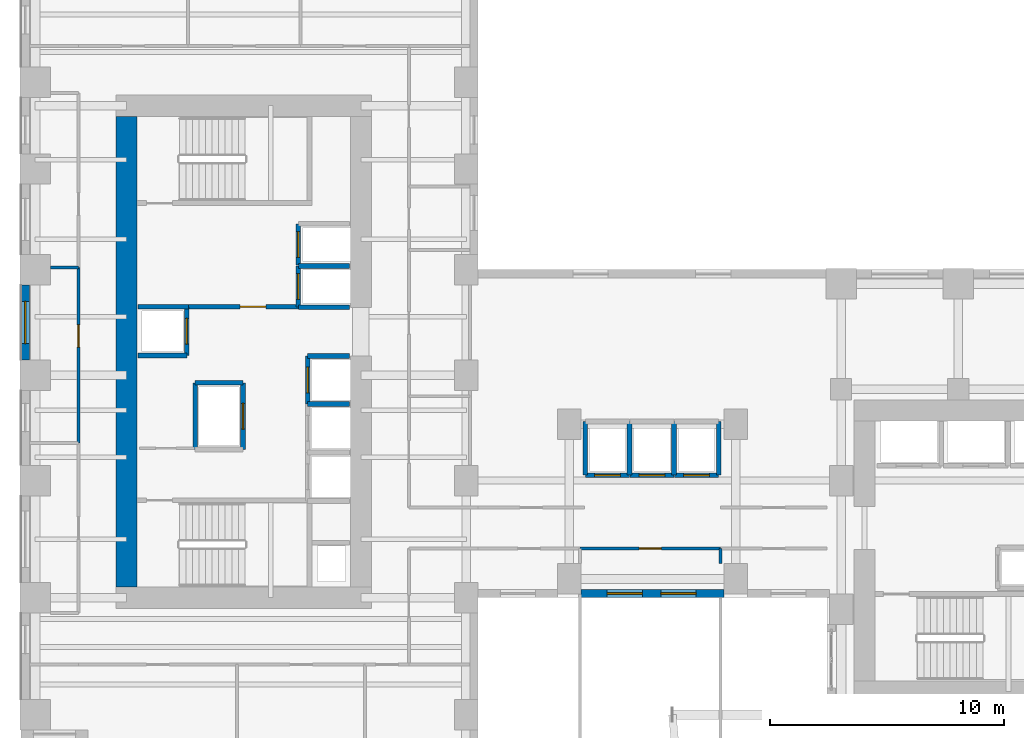
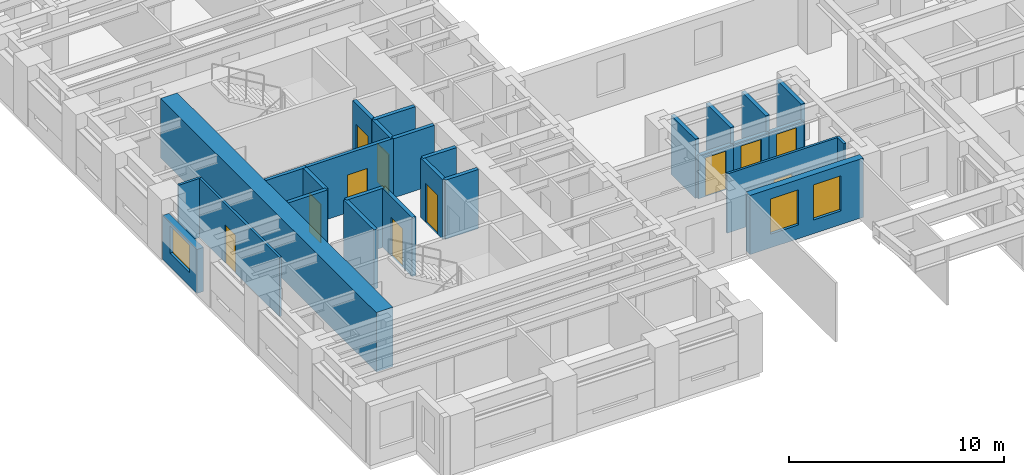
# One storey, part 8 of 14: 28 walls, 11 doors, 3 windows, 14 openings.
"""IFC4 building model written with IfcOpenShell, lengths in metres."""

from ifc_helpers import new_model, si_unit, direction, frame, frame_2d, origin, place, context, subcontext, project, spatial, rectangle, extrude, source, transform, mapped, material, layer, layer_set, type_object, element, fill, save


model = new_model("IFC4")

# Units and contexts
model_context = context("Model", 3, precision=1e-05, world=origin(), true_north=direction((0.0, 1.0)))
body_context = subcontext(model_context, "Body", "Model", "MODEL_VIEW")
ifc_project = project(units=[si_unit("LENGTHUNIT", "METRE"), si_unit("AREAUNIT", "SQUARE_METRE"), si_unit("VOLUMEUNIT", "CUBIC_METRE"), si_unit("PLANEANGLEUNIT", "RADIAN"), si_unit("MASSUNIT", "GRAM", prefix="KILO")], contexts=[model_context])

# Site, building, storey
site_placement = place(None, origin())
site = spatial("IfcSite", under=ifc_project, at=site_placement, CompositionType="ELEMENT")
building_placement = place(site_placement, origin())
building = spatial("IfcBuilding", under=site, at=building_placement, Name="Kharzan Plaza Tower", CompositionType="ELEMENT")
storey_placement = place(building_placement, frame((0.0, 0.0, 58.5)))
storey = spatial("IfcBuildingStorey", under=building, at=storey_placement, Name="L15", CompositionType="ELEMENT", Elevation=58.5)

# Wall, opening, window
ifc_material_1 = material(Name="Concrete C40/50", Category="concrete")
ifc_layer_1 = layer(ifc_material_1, 0.35009765625)
ifc_layer_set_1 = layer_set([ifc_layer_1], Name="Concrete C40/50")
wall_type_1 = type_object("IfcWallType", Name="WL-EXT-MAS-Z1", PredefinedType="SOLIDWALL", material=ifc_layer_set_1)
wall_1_placement = place(storey_placement, frame((0.175048828125, 21.85205078125, 0.0), z_axis=(0.0, 0.0, 1.0), x_axis=(0.0, -1.0, 0.0)))
wall_1 = element("IfcWall", 1, at=wall_1_placement, inside=storey, type_object=wall_type_1, Name="L15 Masonry-Frame Exterior Wall 16", PredefinedType="SOLIDWALL", context=body_context, shape_type="SweptSolid", body=[
    extrude(rectangle(XDim=3.2041015625, YDim=0.35009765625, at=frame_2d((1.60205078125, 0.0))), origin(), (0.0, 0.0, 1.0), 2.510009765625),
])
opening_1_placement = place(wall_1_placement, frame((0.701904296875, 0.0, 0.780029296875)))
opening_1 = element("IfcOpeningElement", 2, at=opening_1_placement, cuts=wall_1, Name="Opening W1", PredefinedType="OPENING", context=body_context, shape_type="SweptSolid", body=[
    extrude(rectangle(XDim=1.800048828125, YDim=1.550048828125, at=frame_2d((0.89990234375, 0.77490234375))), frame((0.0, 0.18505859375, 0.0), z_axis=(0.0, -1.0, 0.0), x_axis=(1.0, 0.0, 0.0)), (0.0, 0.0, 1.0), 0.3701171875),
])
ifc_material_2 = material(Name="Low-E Double Glazing", Category="glass")
window_type_1 = type_object("IfcWindowType", Name="WN-REC-1800x2100", PartitioningType="SINGLE_PANEL", PredefinedType="WINDOW", material=ifc_material_2)
shared_shape_1 = source(origin(), body_context, "Body", "SweptSolid", [
    extrude(rectangle(XDim=1.800048828125, YDim=1.550048828125, at=frame_2d((0.89990234375, 0.77490234375))), frame((0.0, 0.030029296875, 0.0), z_axis=(0.0, -1.0, 0.0), x_axis=(1.0, 0.0, 0.0)), (0.0, 0.0, 1.0), 0.06005859375),
])
window_1_placement = place(opening_1_placement, origin())
window_1 = element("IfcWindow", 3, at=window_1_placement, inside=storey, type_object=window_type_1, Name="L15 Recessed Solar-Control Window 16-1", OverallHeight=1.550048828125, OverallWidth=1.800048828125, PartitioningType="SINGLE_PANEL", PredefinedType="WINDOW", context=body_context, shape_type="MappedRepresentation", body=[
    mapped(shared_shape_1, transform((0.0, 0.0, 0.0), x_axis=(1.0, 0.0, 0.0), y_axis=(0.0, 1.0, 0.0), z_axis=(0.0, 0.0, 1.0))),
])
fill(opening_1, window_1)

# Wall, openings, windows
wall_2_placement = place(storey_placement, frame((23.89794921875, 8.675048828125, 0.0), z_axis=(0.0, 0.0, 1.0), x_axis=(1.0, 0.0, 0.0)))
wall_2 = element("IfcWall", 4, at=wall_2_placement, inside=storey, type_object=wall_type_1, Name="L15 Masonry-Frame Exterior Wall 29", PredefinedType="SOLIDWALL", context=body_context, shape_type="SweptSolid", body=[
    extrude(rectangle(XDim=6.10400390625, YDim=0.35009765625, at=frame_2d((3.052001953125, 0.0))), origin(), (0.0, 0.0, 1.0), 3.364990234375),
])
opening_2_placement = place(wall_2_placement, frame((1.114013671875, 0.0, 0.780029296875)))
opening_2 = element("IfcOpeningElement", 5, at=opening_2_placement, cuts=wall_2, Name="Opening W5", PredefinedType="OPENING", context=body_context, shape_type="SweptSolid", body=[
    extrude(rectangle(XDim=1.5, YDim=2.0, at=frame_2d((0.75, 1.0))), frame((0.0, 0.18505859375, 0.0), z_axis=(0.0, -1.0, 0.0), x_axis=(1.0, 0.0, 0.0)), (0.0, 0.0, 1.0), 0.3701171875),
])
opening_3_placement = place(wall_2_placement, frame((3.407958984375, 0.0, 0.780029296875)))
opening_3 = element("IfcOpeningElement", 6, at=opening_3_placement, cuts=wall_2, Name="Opening W5", PredefinedType="OPENING", context=body_context, shape_type="SweptSolid", body=[
    extrude(rectangle(XDim=1.5, YDim=2.0, at=frame_2d((0.75, 1.0))), frame((0.0, 0.18505859375, 0.0), z_axis=(0.0, -1.0, 0.0), x_axis=(1.0, 0.0, 0.0)), (0.0, 0.0, 1.0), 0.3701171875),
])
window_type_2 = type_object("IfcWindowType", Name="WN-SLT-1500x2000", PartitioningType="SINGLE_PANEL", PredefinedType="WINDOW", material=ifc_material_2)
shared_shape_2 = source(origin(), body_context, "Body", "SweptSolid", [
    extrude(rectangle(XDim=1.5, YDim=2.0, at=frame_2d((0.75, 1.0))), frame((0.0, 0.030029296875, 0.0), z_axis=(0.0, -1.0, 0.0), x_axis=(1.0, 0.0, 0.0)), (0.0, 0.0, 1.0), 0.06005859375),
])
window_2_placement = place(opening_2_placement, origin())
window_2 = element("IfcWindow", 7, at=window_2_placement, inside=storey, type_object=window_type_2, Name="L15 Recessed Solar-Control Window 29-1", OverallHeight=2.0, OverallWidth=1.5, PartitioningType="SINGLE_PANEL", PredefinedType="WINDOW", context=body_context, shape_type="MappedRepresentation", body=[
    mapped(shared_shape_2, transform((0.0, 0.0, 0.0), x_axis=(1.0, 0.0, 0.0), y_axis=(0.0, 1.0, 0.0), z_axis=(0.0, 0.0, 1.0))),
])
fill(opening_2, window_2)
window_3_placement = place(opening_3_placement, origin())
window_3 = element("IfcWindow", 8, at=window_3_placement, inside=storey, type_object=window_type_2, Name="L15 Recessed Solar-Control Window 29-2", OverallHeight=2.0, OverallWidth=1.5, PartitioningType="SINGLE_PANEL", PredefinedType="WINDOW", context=body_context, shape_type="MappedRepresentation", body=[
    mapped(shared_shape_2, transform((0.0, 0.0, 0.0), x_axis=(1.0, 0.0, 0.0), y_axis=(0.0, 1.0, 0.0), z_axis=(0.0, 0.0, 1.0))),
])
fill(opening_3, window_3)

# Wall, opening, door
ifc_layer_2 = layer(ifc_material_1, 0.179931640625)
ifc_layer_set_2 = layer_set([ifc_layer_2], Name="Concrete C40/50")
wall_type_2 = type_object("IfcWallType", Name="WL-INT-FIRE-180", PredefinedType="PARTITIONING", material=ifc_layer_set_2)
wall_3_placement = place(storey_placement, frame((7.14990234375, 20.919921875, 0.0), z_axis=(0.0, 0.0, 1.0), x_axis=(1.0, 0.0, 0.0)))
wall_3 = element("IfcWall", 9, at=wall_3_placement, inside=storey, type_object=wall_type_2, Name="L15 Interior Partition CA-FF-S", PredefinedType="PARTITIONING", context=body_context, shape_type="SweptSolid", body=[
    extrude(rectangle(XDim=4.68017578125, YDim=0.179931640625, at=frame_2d((2.340087890625, 0.0))), origin(), (0.0, 0.0, 1.0), 3.364990234375),
])
opening_4_placement = place(wall_3_placement, frame((2.199951171875, 0.0, 0.0)))
opening_4 = element("IfcOpeningElement", 10, at=opening_4_placement, cuts=wall_3, Name="Opening FD1", PredefinedType="OPENING", context=body_context, shape_type="SweptSolid", body=[
    extrude(rectangle(XDim=1.10009765625, YDim=2.14990234375, at=frame_2d((0.550048828125, 1.074951171875))), frame((0.0, 0.099853515625, 0.0), z_axis=(0.0, -1.0, 0.0), x_axis=(1.0, 0.0, 0.0)), (0.0, 0.0, 1.0), 0.199951171875),
])
ifc_material_3 = material(Name="Fire-Rated Acoustic Vision-Panel Steel", Category="steel")
door_type_1 = type_object("IfcDoorType", Name="DR-FIRE-LOBBY", OperationType="NOTDEFINED", PredefinedType="DOOR", material=ifc_material_3)
shared_shape_3 = source(origin(), body_context, "Body", "SweptSolid", [
    extrude(rectangle(XDim=1.10009765625, YDim=2.14990234375, at=frame_2d((0.550048828125, 1.074951171875))), frame((0.0, 0.02490234375, 0.0), z_axis=(0.0, -1.0, 0.0), x_axis=(1.0, 0.0, 0.0)), (0.0, 0.0, 1.0), 0.050048828125),
])
door_1_placement = place(opening_4_placement, origin())
door_1 = element("IfcDoor", 11, at=door_1_placement, inside=storey, type_object=door_type_1, Name="L15 Firefighting Lobby Door", OperationType="SINGLE_SWING_LEFT", OverallHeight=2.14990234375, OverallWidth=1.10009765625, PredefinedType="DOOR", context=body_context, shape_type="MappedRepresentation", body=[
    mapped(shared_shape_3, transform((0.0, 0.0, 0.0), x_axis=(1.0, 0.0, 0.0), y_axis=(0.0, 1.0, 0.0), z_axis=(0.0, 0.0, 1.0))),
])
fill(opening_4, door_1)

ifc_material_4 = material(Name="Fire-Rated Gypsum Board Partition", Category="gypsum")
ifc_layer_3 = layer(ifc_material_4, 0.125)
ifc_layer_set_3 = layer_set([ifc_layer_3], Name="Fire-Rated Gypsum Board Partition")
wall_type_3 = type_object("IfcWallType", Name="WL-INT-PART-125", PredefinedType="PARTITIONING", material=ifc_layer_set_3)
wall_4_placement = place(storey_placement, frame((23.85009765625, 10.60009765625, 0.0), z_axis=(0.0, 0.0, 1.0), x_axis=(1.0, 0.0, 0.0)))
wall_4 = element("IfcWall", 12, at=wall_4_placement, inside=storey, type_object=wall_type_3, Name="L15 Interior Partition SH-SPS2", PredefinedType="PARTITIONING", context=body_context, shape_type="SweptSolid", body=[
    extrude(rectangle(XDim=6.0, YDim=0.125, at=frame_2d((3.0, 0.0))), origin(), (0.0, 0.0, 1.0), 3.364990234375),
])
opening_5_placement = place(wall_4_placement, frame((2.52490234375, 0.0, 0.0)))
opening_5 = element("IfcOpeningElement", 13, at=opening_5_placement, cuts=wall_4, Name="Opening OD1", PredefinedType="OPENING", context=body_context, shape_type="SweptSolid", body=[
    extrude(rectangle(XDim=0.949951171875, YDim=2.14990234375, at=frame_2d((0.47509765625, 1.074951171875))), frame((0.0, 0.072509765625, 0.0), z_axis=(0.0, -1.0, 0.0), x_axis=(1.0, 0.0, 0.0)), (0.0, 0.0, 1.0), 0.14501953125),
])
ifc_material_5 = material(Name="Acoustic Solid-Core Stained Oak", Category="timber")
door_type_2 = type_object("IfcDoorType", Name="DR-OFF-SINGLE", OperationType="NOTDEFINED", PredefinedType="DOOR", material=ifc_material_5)
shared_shape_4 = source(origin(), body_context, "Body", "SweptSolid", [
    extrude(rectangle(XDim=0.949951171875, YDim=2.14990234375, at=frame_2d((0.47509765625, 1.074951171875))), frame((0.0, 0.02490234375, 0.0), z_axis=(0.0, -1.0, 0.0), x_axis=(1.0, 0.0, 0.0)), (0.0, 0.0, 1.0), 0.050048828125),
])
door_2_placement = place(opening_5_placement, origin())
door_2 = element("IfcDoor", 14, at=door_2_placement, inside=storey, type_object=door_type_2, Name="L15 Spine Studio 2 Door", OperationType="SINGLE_SWING_LEFT", OverallHeight=2.14990234375, OverallWidth=0.949951171875, PredefinedType="DOOR", context=body_context, shape_type="MappedRepresentation", body=[
    mapped(shared_shape_4, transform((0.0, 0.0, 0.0), x_axis=(1.0, 0.0, 0.0), y_axis=(0.0, 1.0, 0.0), z_axis=(0.0, 0.0, 1.0))),
])
fill(opening_5, door_2)

wall_5_placement = place(storey_placement, frame((2.449951171875, 15.10009765625, 0.0), z_axis=(0.0, 0.0, 1.0), x_axis=(0.0, 1.0, 0.0)))
wall_5 = element("IfcWall", 15, at=wall_5_placement, inside=storey, type_object=wall_type_3, Name="L15 Interior Partition SH-WW-2", PredefinedType="PARTITIONING", context=body_context, shape_type="SweptSolid", body=[
    extrude(rectangle(XDim=7.5, YDim=0.125, at=frame_2d((3.75, 0.0))), origin(), (0.0, 0.0, 1.0), 3.364990234375),
])
opening_6_placement = place(wall_5_placement, frame((4.100341796875, 0.0, 0.0)))
opening_6 = element("IfcOpeningElement", 16, at=opening_6_placement, cuts=wall_5, Name="Opening OD1", PredefinedType="OPENING", context=body_context, shape_type="SweptSolid", body=[
    extrude(rectangle(XDim=0.949951171875, YDim=2.14990234375, at=frame_2d((0.47509765625, 1.074951171875))), frame((0.0, 0.072509765625, 0.0), z_axis=(0.0, -1.0, 0.0), x_axis=(1.0, 0.0, 0.0)), (0.0, 0.0, 1.0), 0.14501953125),
])
door_3_placement = place(opening_6_placement, origin())
door_3 = element("IfcDoor", 17, at=door_3_placement, inside=storey, type_object=door_type_2, Name="L15 Research Engineering Office Door", OperationType="SINGLE_SWING_LEFT", OverallHeight=2.14990234375, OverallWidth=0.949951171875, PredefinedType="DOOR", context=body_context, shape_type="MappedRepresentation", body=[
    mapped(shared_shape_4, transform((0.0, 0.0, 0.0), x_axis=(1.0, 0.0, 0.0), y_axis=(0.0, 1.0, 0.0), z_axis=(0.0, 0.0, 1.0))),
])
fill(opening_6, door_3)

ifc_layer_4 = layer(ifc_material_1, 0.199951171875)
ifc_layer_set_4 = layer_set([ifc_layer_4], Name="Concrete C40/50")
wall_type_4 = type_object("IfcWallType", Name="WL-INT-SHAFT-200", PredefinedType="PARTITIONING", material=ifc_layer_set_4)
wall_6_placement = place(storey_placement, frame((11.830078125, 20.89990234375, 0.0), z_axis=(0.0, 0.0, 1.0), x_axis=(0.0, 1.0, 0.0)))
wall_6 = element("IfcWall", 18, at=wall_6_placement, inside=storey, type_object=wall_type_4, Name="L15 Interior Partition SHF-FFL-1-W", PredefinedType="PARTITIONING", context=body_context, shape_type="SweptSolid", body=[
    extrude(rectangle(XDim=1.760009765625, YDim=0.199951171875, at=frame_2d((0.8798828125, 0.0))), origin(), (0.0, 0.0, 1.0), 3.364990234375),
])
opening_7_placement = place(wall_6_placement, frame((0.330078125, 0.0, 0.0)))
opening_7 = element("IfcOpeningElement", 19, at=opening_7_placement, cuts=wall_6, Name="Opening LD", PredefinedType="OPENING", context=body_context, shape_type="SweptSolid", body=[
    extrude(rectangle(XDim=1.10009765625, YDim=2.199951171875, at=frame_2d((0.550048828125, 1.10009765625))), frame((0.0, 0.10986328125, 0.0), z_axis=(0.0, -1.0, 0.0), x_axis=(1.0, 0.0, 0.0)), (0.0, 0.0, 1.0), 0.219970703125),
])
ifc_material_6 = material(Name="Brushed Stainless Steel", Category="steel")
door_type_3 = type_object("IfcDoorType", Name="DR-LIFT-SLIDE", OperationType="SLIDING_TO_LEFT", PredefinedType="DOOR", material=ifc_material_6)
shared_shape_5 = source(origin(), body_context, "Body", "SweptSolid", [
    extrude(rectangle(XDim=1.10009765625, YDim=2.199951171875, at=frame_2d((0.550048828125, 1.10009765625))), frame((0.0, 0.02490234375, 0.0), z_axis=(0.0, -1.0, 0.0), x_axis=(1.0, 0.0, 0.0)), (0.0, 0.0, 1.0), 0.050048828125),
])
door_4_placement = place(opening_7_placement, origin())
door_4 = element("IfcDoor", 20, at=door_4_placement, inside=storey, type_object=door_type_3, Name="L15 Firefighting Lift FFL-1 Sliding Landing Door", OperationType="SLIDING_TO_LEFT", OverallHeight=2.199951171875, OverallWidth=1.10009765625, PredefinedType="DOOR", context=body_context, shape_type="MappedRepresentation", body=[
    mapped(shared_shape_5, transform((0.0, 0.0, 0.0), x_axis=(1.0, 0.0, 0.0), y_axis=(0.0, 1.0, 0.0), z_axis=(0.0, 0.0, 1.0))),
])
fill(opening_7, door_4)

wall_7_placement = place(storey_placement, frame((11.830078125, 22.699951171875, 0.0), z_axis=(0.0, 0.0, 1.0), x_axis=(0.0, 1.0, 0.0)))
wall_7 = element("IfcWall", 21, at=wall_7_placement, inside=storey, type_object=wall_type_4, Name="L15 Interior Partition SHF-FFL-2-W", PredefinedType="PARTITIONING", context=body_context, shape_type="SweptSolid", body=[
    extrude(rectangle(XDim=1.760009765625, YDim=0.199951171875, at=frame_2d((0.8798828125, 0.0))), origin(), (0.0, 0.0, 1.0), 3.364990234375),
])
opening_8_placement = place(wall_7_placement, frame((0.330078125, 0.0, 0.0)))
opening_8 = element("IfcOpeningElement", 22, at=opening_8_placement, cuts=wall_7, Name="Opening LD", PredefinedType="OPENING", context=body_context, shape_type="SweptSolid", body=[
    extrude(rectangle(XDim=1.10009765625, YDim=2.199951171875, at=frame_2d((0.550048828125, 1.10009765625))), frame((0.0, 0.10986328125, 0.0), z_axis=(0.0, -1.0, 0.0), x_axis=(1.0, 0.0, 0.0)), (0.0, 0.0, 1.0), 0.219970703125),
])
door_5_placement = place(opening_8_placement, origin())
door_5 = element("IfcDoor", 23, at=door_5_placement, inside=storey, type_object=door_type_3, Name="L15 Firefighting Lift FFL-2 Sliding Landing Door", OperationType="SLIDING_TO_LEFT", OverallHeight=2.199951171875, OverallWidth=1.10009765625, PredefinedType="DOOR", context=body_context, shape_type="MappedRepresentation", body=[
    mapped(shared_shape_5, transform((0.0, 0.0, 0.0), x_axis=(1.0, 0.0, 0.0), y_axis=(0.0, 1.0, 0.0), z_axis=(0.0, 0.0, 1.0))),
])
fill(opening_8, door_5)

wall_8_placement = place(storey_placement, frame((12.22998046875, 16.77001953125, 0.0), z_axis=(0.0, 0.0, 1.0), x_axis=(0.0, 1.0, 0.0)))
wall_8 = element("IfcWall", 24, at=wall_8_placement, inside=storey, type_object=wall_type_4, Name="L15 Interior Partition SHF-PL-H3-W", PredefinedType="PARTITIONING", context=body_context, shape_type="SweptSolid", body=[
    extrude(rectangle(XDim=2.050048828125, YDim=0.199951171875, at=frame_2d((1.02490234375, 0.0))), origin(), (0.0, 0.0, 1.0), 3.364990234375),
])
opening_9_placement = place(wall_8_placement, frame((0.47509765625, 0.0, 0.0)))
opening_9 = element("IfcOpeningElement", 25, at=opening_9_placement, cuts=wall_8, Name="Opening LD", PredefinedType="OPENING", context=body_context, shape_type="SweptSolid", body=[
    extrude(rectangle(XDim=1.10009765625, YDim=2.199951171875, at=frame_2d((0.550048828125, 1.10009765625))), frame((0.0, 0.10986328125, 0.0), z_axis=(0.0, -1.0, 0.0), x_axis=(1.0, 0.0, 0.0)), (0.0, 0.0, 1.0), 0.219970703125),
])
door_6_placement = place(opening_9_placement, origin())
door_6 = element("IfcDoor", 26, at=door_6_placement, inside=storey, type_object=door_type_3, Name="L15 High-Rise Passenger Lift PL-H3 Sliding Landing Door", OperationType="SLIDING_TO_LEFT", OverallHeight=2.199951171875, OverallWidth=1.10009765625, PredefinedType="DOOR", context=body_context, shape_type="MappedRepresentation", body=[
    mapped(shared_shape_5, transform((0.0, 0.0, 0.0), x_axis=(1.0, 0.0, 0.0), y_axis=(0.0, 1.0, 0.0), z_axis=(0.0, 0.0, 1.0))),
])
fill(opening_9, door_6)

wall_9_placement = place(storey_placement, frame((7.070068359375, 18.840087890625, 0.0), z_axis=(0.0, 0.0, 1.0), x_axis=(0.0, 1.0, 0.0)))
wall_9 = element("IfcWall", 27, at=wall_9_placement, inside=storey, type_object=wall_type_4, Name="L15 Interior Partition SHF-PL-H4-E", PredefinedType="PARTITIONING", context=body_context, shape_type="SweptSolid", body=[
    extrude(rectangle(XDim=2.059814453125, YDim=0.199951171875, at=frame_2d((1.02978515625, 0.0))), origin(), (0.0, 0.0, 1.0), 3.364990234375),
])
opening_10_placement = place(wall_9_placement, frame((0.47998046875, 0.0, 0.0)))
opening_10 = element("IfcOpeningElement", 28, at=opening_10_placement, cuts=wall_9, Name="Opening LD", PredefinedType="OPENING", context=body_context, shape_type="SweptSolid", body=[
    extrude(rectangle(XDim=1.10009765625, YDim=2.199951171875, at=frame_2d((0.550048828125, 1.10009765625))), frame((0.0, 0.10986328125, 0.0), z_axis=(0.0, -1.0, 0.0), x_axis=(1.0, 0.0, 0.0)), (0.0, 0.0, 1.0), 0.219970703125),
])
door_7_placement = place(opening_10_placement, origin())
door_7 = element("IfcDoor", 29, at=door_7_placement, inside=storey, type_object=door_type_3, Name="L15 High-Rise Passenger Lift PL-H4 Sliding Landing Door", OperationType="SLIDING_TO_LEFT", OverallHeight=2.199951171875, OverallWidth=1.10009765625, PredefinedType="DOOR", context=body_context, shape_type="MappedRepresentation", body=[
    mapped(shared_shape_5, transform((0.0, 0.0, 0.0), x_axis=(1.0, 0.0, 0.0), y_axis=(0.0, 1.0, 0.0), z_axis=(0.0, 0.0, 1.0))),
])
fill(opening_10, door_7)

wall_10_placement = place(storey_placement, frame((24.080078125, 13.72998046875, 0.0), z_axis=(0.0, 0.0, 1.0), x_axis=(1.0, 0.0, 0.0)))
wall_10 = element("IfcWall", 30, at=wall_10_placement, inside=storey, type_object=wall_type_4, Name="L15 Interior Partition SHF-PL-M1-S", PredefinedType="PARTITIONING", context=body_context, shape_type="SweptSolid", body=[
    extrude(rectangle(XDim=1.889892578125, YDim=0.199951171875, at=frame_2d((0.94482421875, 0.0))), origin(), (0.0, 0.0, 1.0), 2.446044921875),
])
opening_11_placement = place(wall_10_placement, frame((0.39501953125, 0.0, 0.0)))
opening_11 = element("IfcOpeningElement", 31, at=opening_11_placement, cuts=wall_10, Name="Opening LD", PredefinedType="OPENING", context=body_context, shape_type="SweptSolid", body=[
    extrude(rectangle(XDim=1.10009765625, YDim=2.199951171875, at=frame_2d((0.550048828125, 1.10009765625))), frame((0.0, 0.10986328125, 0.0), z_axis=(0.0, -1.0, 0.0), x_axis=(1.0, 0.0, 0.0)), (0.0, 0.0, 1.0), 0.219970703125),
])
door_8_placement = place(opening_11_placement, origin())
door_8 = element("IfcDoor", 32, at=door_8_placement, inside=storey, type_object=door_type_3, Name="L15 Mid-Rise Passenger Lift PL-M1 Sliding Landing Door", OperationType="SLIDING_TO_LEFT", OverallHeight=2.199951171875, OverallWidth=1.10009765625, PredefinedType="DOOR", context=body_context, shape_type="MappedRepresentation", body=[
    mapped(shared_shape_5, transform((0.0, 0.0, 0.0), x_axis=(1.0, 0.0, 0.0), y_axis=(0.0, 1.0, 0.0), z_axis=(0.0, 0.0, 1.0))),
])
fill(opening_11, door_8)

wall_11_placement = place(storey_placement, frame((25.97998046875, 13.72998046875, 0.0), z_axis=(0.0, 0.0, 1.0), x_axis=(1.0, 0.0, 0.0)))
wall_11 = element("IfcWall", 33, at=wall_11_placement, inside=storey, type_object=wall_type_4, Name="L15 Interior Partition SHF-PL-M2-S", PredefinedType="PARTITIONING", context=body_context, shape_type="SweptSolid", body=[
    extrude(rectangle(XDim=1.89013671875, YDim=0.199951171875, at=frame_2d((0.945068359375, 0.0))), origin(), (0.0, 0.0, 1.0), 2.446044921875),
])
opening_12_placement = place(wall_11_placement, frame((0.39501953125, 0.0, 0.0)))
opening_12 = element("IfcOpeningElement", 34, at=opening_12_placement, cuts=wall_11, Name="Opening LD", PredefinedType="OPENING", context=body_context, shape_type="SweptSolid", body=[
    extrude(rectangle(XDim=1.10009765625, YDim=2.199951171875, at=frame_2d((0.550048828125, 1.10009765625))), frame((0.0, 0.10986328125, 0.0), z_axis=(0.0, -1.0, 0.0), x_axis=(1.0, 0.0, 0.0)), (0.0, 0.0, 1.0), 0.219970703125),
])
door_9_placement = place(opening_12_placement, origin())
door_9 = element("IfcDoor", 35, at=door_9_placement, inside=storey, type_object=door_type_3, Name="L15 Mid-Rise Passenger Lift PL-M2 Sliding Landing Door", OperationType="SLIDING_TO_LEFT", OverallHeight=2.199951171875, OverallWidth=1.10009765625, PredefinedType="DOOR", context=body_context, shape_type="MappedRepresentation", body=[
    mapped(shared_shape_5, transform((0.0, 0.0, 0.0), x_axis=(1.0, 0.0, 0.0), y_axis=(0.0, 1.0, 0.0), z_axis=(0.0, 0.0, 1.0))),
])
fill(opening_12, door_9)

wall_12_placement = place(storey_placement, frame((27.8798828125, 13.72998046875, 0.0), z_axis=(0.0, 0.0, 1.0), x_axis=(1.0, 0.0, 0.0)))
wall_12 = element("IfcWall", 36, at=wall_12_placement, inside=storey, type_object=wall_type_4, Name="L15 Interior Partition SHF-PL-M3-S", PredefinedType="PARTITIONING", context=body_context, shape_type="SweptSolid", body=[
    extrude(rectangle(XDim=1.89013671875, YDim=0.199951171875, at=frame_2d((0.945068359375, 0.0))), origin(), (0.0, 0.0, 1.0), 2.446044921875),
])
opening_13_placement = place(wall_12_placement, frame((0.39501953125, 0.0, 0.0)))
opening_13 = element("IfcOpeningElement", 37, at=opening_13_placement, cuts=wall_12, Name="Opening LD", PredefinedType="OPENING", context=body_context, shape_type="SweptSolid", body=[
    extrude(rectangle(XDim=1.10009765625, YDim=2.199951171875, at=frame_2d((0.550048828125, 1.10009765625))), frame((0.0, 0.10986328125, 0.0), z_axis=(0.0, -1.0, 0.0), x_axis=(1.0, 0.0, 0.0)), (0.0, 0.0, 1.0), 0.219970703125),
])
door_10_placement = place(opening_13_placement, origin())
door_10 = element("IfcDoor", 38, at=door_10_placement, inside=storey, type_object=door_type_3, Name="L15 Mid-Rise Passenger Lift PL-M3 Sliding Landing Door", OperationType="SLIDING_TO_LEFT", OverallHeight=2.199951171875, OverallWidth=1.10009765625, PredefinedType="DOOR", context=body_context, shape_type="MappedRepresentation", body=[
    mapped(shared_shape_5, transform((0.0, 0.0, 0.0), x_axis=(1.0, 0.0, 0.0), y_axis=(0.0, 1.0, 0.0), z_axis=(0.0, 0.0, 1.0))),
])
fill(opening_13, door_10)

wall_13_placement = place(storey_placement, frame((9.469970703125, 14.830078125, 0.0), z_axis=(0.0, 0.0, 1.0), x_axis=(0.0, 1.0, 0.0)))
wall_13 = element("IfcWall", 39, at=wall_13_placement, inside=storey, type_object=wall_type_4, Name="L15 Interior Partition SHF-SVL-1-E", PredefinedType="PARTITIONING", context=body_context, shape_type="SweptSolid", body=[
    extrude(rectangle(XDim=2.83984375, YDim=0.199951171875, at=frame_2d((1.419921875, 0.0))), origin(), (0.0, 0.0, 1.0), 3.364990234375),
])
opening_14_placement = place(wall_13_placement, frame((0.8701171875, 0.0, 0.0)))
opening_14 = element("IfcOpeningElement", 40, at=opening_14_placement, cuts=wall_13, Name="Opening LD", PredefinedType="OPENING", context=body_context, shape_type="SweptSolid", body=[
    extrude(rectangle(XDim=1.10009765625, YDim=2.199951171875, at=frame_2d((0.550048828125, 1.10009765625))), frame((0.0, 0.10986328125, 0.0), z_axis=(0.0, -1.0, 0.0), x_axis=(1.0, 0.0, 0.0)), (0.0, 0.0, 1.0), 0.219970703125),
])
door_11_placement = place(opening_14_placement, origin())
door_11 = element("IfcDoor", 41, at=door_11_placement, inside=storey, type_object=door_type_3, Name="L15 Service Lift SVL-1 Sliding Landing Door", OperationType="SLIDING_TO_LEFT", OverallHeight=2.199951171875, OverallWidth=1.10009765625, PredefinedType="DOOR", context=body_context, shape_type="MappedRepresentation", body=[
    mapped(shared_shape_5, transform((0.0, 0.0, 0.0), x_axis=(1.0, 0.0, 0.0), y_axis=(0.0, 1.0, 0.0), z_axis=(0.0, 0.0, 1.0))),
])
fill(opening_14, door_11)

# Walls
ifc_material_7 = material(Name="Concrete C60/75", Category="concrete")
ifc_layer_5 = layer(ifc_material_7, 0.89990234375)
ifc_layer_set_5 = layer_set([ifc_layer_5], Name="Concrete C60/75")
wall_type_5 = type_object("IfcWallType", Name="WL-CORE-900", PredefinedType="SHEAR", material=ifc_layer_set_5)
shared_shape_6 = source(origin(), body_context, "Body", "SweptSolid", [
    extrude(rectangle(XDim=20.10009765625, YDim=0.89990234375, at=frame_2d((10.050048828125, 0.0))), origin(), (0.0, 0.0, 1.0), 3.3798828125),
])
wall_14_placement = place(storey_placement, frame((4.5, 8.949951171875, 0.0), z_axis=(0.0, 0.0, 1.0), x_axis=(0.0, 1.0, 0.0)))
element("IfcWall", 42, at=wall_14_placement, inside=storey, type_object=wall_type_5, Name="L15 CORE-A west RC shear wall", PredefinedType="SHEAR", context=body_context, shape_type="MappedRepresentation", body=[
    mapped(shared_shape_6, transform((0.0, 0.0, 0.0), x_axis=(1.0, 0.0, 0.0), y_axis=(0.0, 1.0, 0.0), z_axis=(0.0, 0.0, 1.0))),
])
shared_shape_7 = source(origin(), body_context, "Body", "SweptSolid", [
    extrude(rectangle(XDim=2.169921875, YDim=0.179931640625, at=frame_2d((1.0849609375, 0.0))), origin(), (0.0, 0.0, 1.0), 3.364990234375),
])
wall_15_placement = place(storey_placement, frame((4.97998046875, 20.919921875, 0.0), z_axis=(0.0, 0.0, 1.0), x_axis=(1.0, 0.0, 0.0)))
element("IfcWall", 43, at=wall_15_placement, inside=storey, type_object=wall_type_2, Name="L15 Interior Partition CA-FF-SW", PredefinedType="PARTITIONING", context=body_context, shape_type="MappedRepresentation", body=[
    mapped(shared_shape_7, transform((0.0, 0.0, 0.0), x_axis=(1.0, 0.0, 0.0), y_axis=(0.0, 1.0, 0.0), z_axis=(0.0, 0.0, 1.0))),
])
shared_shape_8 = source(origin(), body_context, "Body", "SweptSolid", [
    extrude(rectangle(XDim=1.18994140625, YDim=0.125, at=frame_2d((0.594970703125, 0.0))), origin(), (0.0, 0.0, 1.0), 3.364990234375),
])
wall_16_placement = place(storey_placement, frame((1.260009765625, 22.60009765625, 0.0), z_axis=(0.0, 0.0, 1.0), x_axis=(1.0, 0.0, 0.0)))
element("IfcWall", 44, at=wall_16_placement, inside=storey, type_object=wall_type_3, Name="L15 Interior Partition SH-WH-2", PredefinedType="PARTITIONING", context=body_context, shape_type="MappedRepresentation", body=[
    mapped(shared_shape_8, transform((0.0, 0.0, 0.0), x_axis=(1.0, 0.0, 0.0), y_axis=(0.0, 1.0, 0.0), z_axis=(0.0, 0.0, 1.0))),
])
shared_shape_9 = source(origin(), body_context, "Body", "SweptSolid", [
    extrude(rectangle(XDim=2.18994140625, YDim=0.199951171875, at=frame_2d((1.094970703125, 0.0))), origin(), (0.0, 0.0, 1.0), 3.364990234375),
])
for number, where, z_axis, x_axis, name in (
    (45, (11.830078125, 22.659912109375, 0.0), (0.0, 0.0, 1.0), (1.0, 0.0, 0.0), "L15 Interior Partition SHF-FFL-1-N"),
    (46, (11.830078125, 20.89990234375, 0.0), (0.0, 0.0, 1.0), (1.0, 0.0, 0.0), "L15 Interior Partition SHF-FFL-1-S"),
):
    element("IfcWall", number, at=place(storey_placement, frame(where, z_axis=z_axis, x_axis=x_axis)), inside=storey, type_object=wall_type_4, Name=name, PredefinedType="PARTITIONING", context=body_context, shape_type="MappedRepresentation", body=[
        mapped(shared_shape_9, transform((0.0, 0.0, 0.0), x_axis=(1.0, 0.0, 0.0), y_axis=(0.0, 1.0, 0.0), z_axis=(0.0, 0.0, 1.0))),
    ])
shared_shape_10 = source(origin(), body_context, "Body", "SweptSolid", [
    extrude(rectangle(XDim=1.7900390625, YDim=0.199951171875, at=frame_2d((0.89501953125, 0.0))), origin(), (0.0, 0.0, 1.0), 3.364990234375),
])
for number, where, z_axis, x_axis, name in (
    (47, (12.22998046875, 16.77001953125, 0.0), (0.0, 0.0, 1.0), (1.0, 0.0, 0.0), "L15 Interior Partition SHF-PL-H2-N"),
    (48, (12.22998046875, 18.820068359375, 0.0), (0.0, 0.0, 1.0), (1.0, 0.0, 0.0), "L15 Interior Partition SHF-PL-H3-N"),
):
    element("IfcWall", number, at=place(storey_placement, frame(where, z_axis=z_axis, x_axis=x_axis)), inside=storey, type_object=wall_type_4, Name=name, PredefinedType="PARTITIONING", context=body_context, shape_type="MappedRepresentation", body=[
        mapped(shared_shape_10, transform((0.0, 0.0, 0.0), x_axis=(1.0, 0.0, 0.0), y_axis=(0.0, 1.0, 0.0), z_axis=(0.0, 0.0, 1.0))),
    ])
shared_shape_11 = source(origin(), body_context, "Body", "SweptSolid", [
    extrude(rectangle(XDim=2.090087890625, YDim=0.199951171875, at=frame_2d((1.044921875, 0.0))), origin(), (0.0, 0.0, 1.0), 3.364990234375),
])
wall_17_placement = place(storey_placement, frame((4.97998046875, 18.840087890625, 0.0), z_axis=(0.0, 0.0, 1.0), x_axis=(1.0, 0.0, 0.0)))
element("IfcWall", 49, at=wall_17_placement, inside=storey, type_object=wall_type_4, Name="L15 Interior Partition SHF-PL-H4-S", PredefinedType="PARTITIONING", context=body_context, shape_type="MappedRepresentation", body=[
    mapped(shared_shape_11, transform((0.0, 0.0, 0.0), x_axis=(1.0, 0.0, 0.0), y_axis=(0.0, 1.0, 0.0), z_axis=(0.0, 0.0, 1.0))),
])
shared_shape_12 = source(origin(), body_context, "Body", "SweptSolid", [
    extrude(rectangle(XDim=2.2900390625, YDim=0.199951171875, at=frame_2d((1.14501953125, 0.0))), origin(), (0.0, 0.0, 1.0), 3.364990234375),
])
for number, where, z_axis, x_axis, name in (
    (50, (25.969970703125, 13.72998046875, 0.0), (0.0, 0.0, 1.0), (0.0, 1.0, 0.0), "L15 Interior Partition SHF-PL-M1-E"),
    (51, (24.080078125, 13.72998046875, 0.0), (0.0, 0.0, 1.0), (0.0, 1.0, 0.0), "L15 Interior Partition SHF-PL-M1-W"),
    (52, (27.8701171875, 13.72998046875, 0.0), (0.0, 0.0, 1.0), (0.0, 1.0, 0.0), "L15 Interior Partition SHF-PL-M2-E"),
    (53, (29.77001953125, 13.72998046875, 0.0), (0.0, 0.0, 1.0), (0.0, 1.0, 0.0), "L15 Interior Partition SHF-PL-M3-E"),
):
    element("IfcWall", number, at=place(storey_placement, frame(where, z_axis=z_axis, x_axis=x_axis)), inside=storey, type_object=wall_type_4, Name=name, PredefinedType="PARTITIONING", context=body_context, shape_type="MappedRepresentation", body=[
        mapped(shared_shape_12, transform((0.0, 0.0, 0.0), x_axis=(1.0, 0.0, 0.0), y_axis=(0.0, 1.0, 0.0), z_axis=(0.0, 0.0, 1.0))),
    ])
shared_shape_13 = source(origin(), body_context, "Body", "SweptSolid", [
    extrude(rectangle(XDim=2.0400390625, YDim=0.199951171875, at=frame_2d((1.02001953125, 0.0))), origin(), (0.0, 0.0, 1.0), 3.364990234375),
])
wall_18_placement = place(storey_placement, frame((7.429931640625, 17.669921875, 0.0), z_axis=(0.0, 0.0, 1.0), x_axis=(1.0, 0.0, 0.0)))
element("IfcWall", 54, at=wall_18_placement, inside=storey, type_object=wall_type_4, Name="L15 Interior Partition SHF-SVL-1-N", PredefinedType="PARTITIONING", context=body_context, shape_type="MappedRepresentation", body=[
    mapped(shared_shape_13, transform((0.0, 0.0, 0.0), x_axis=(1.0, 0.0, 0.0), y_axis=(0.0, 1.0, 0.0), z_axis=(0.0, 0.0, 1.0))),
])
shared_shape_14 = source(origin(), body_context, "Body", "SweptSolid", [
    extrude(rectangle(XDim=2.83984375, YDim=0.199951171875, at=frame_2d((1.419921875, 0.0))), origin(), (0.0, 0.0, 1.0), 3.364990234375),
])
wall_19_placement = place(storey_placement, frame((7.429931640625, 14.830078125, 0.0), z_axis=(0.0, 0.0, 1.0), x_axis=(0.0, 1.0, 0.0)))
element("IfcWall", 55, at=wall_19_placement, inside=storey, type_object=wall_type_4, Name="L15 Interior Partition SHF-SVL-1-W", PredefinedType="PARTITIONING", context=body_context, shape_type="MappedRepresentation", body=[
    mapped(shared_shape_14, transform((0.0, 0.0, 0.0), x_axis=(1.0, 0.0, 0.0), y_axis=(0.0, 1.0, 0.0), z_axis=(0.0, 0.0, 1.0))),
])
shared_shape_15 = source(origin(), body_context, "Body", "SweptSolid", [
    extrude(rectangle(XDim=0.64013671875, YDim=0.125, at=frame_2d((0.320068359375, 0.0))), origin(), (0.0, 0.0, 1.0), 3.364990234375),
])
wall_20_placement = place(storey_placement, frame((29.85009765625, 9.9599609375, 0.0), z_axis=(0.0, 0.0, 1.0), x_axis=(0.0, 1.0, 0.0)))
element("IfcWall", 56, at=wall_20_placement, inside=storey, type_object=wall_type_3, Name="L15 Interior Partition SH-SPSV2-S2", PredefinedType="PARTITIONING", context=body_context, shape_type="MappedRepresentation", body=[
    mapped(shared_shape_15, transform((0.0, 0.0, 0.0), x_axis=(1.0, 0.0, 0.0), y_axis=(0.0, 1.0, 0.0), z_axis=(0.0, 0.0, 1.0))),
])

save(model, "model.ifc")
